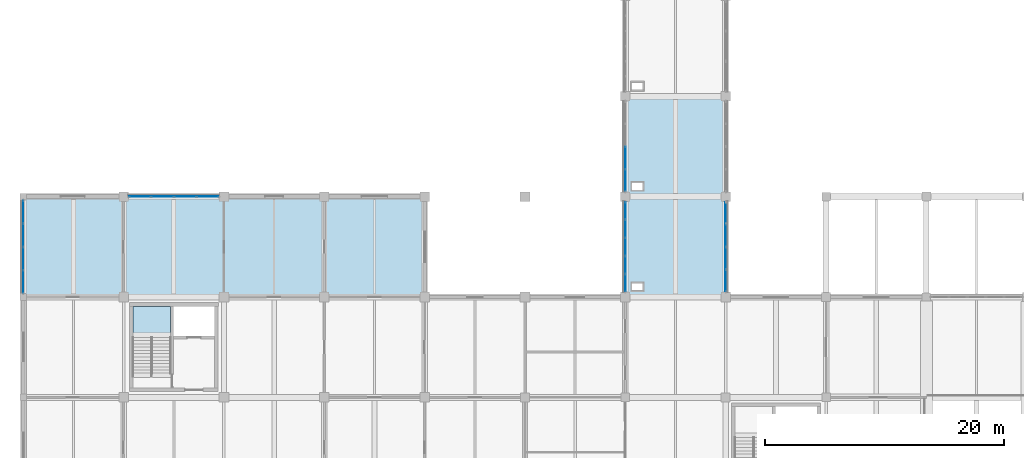
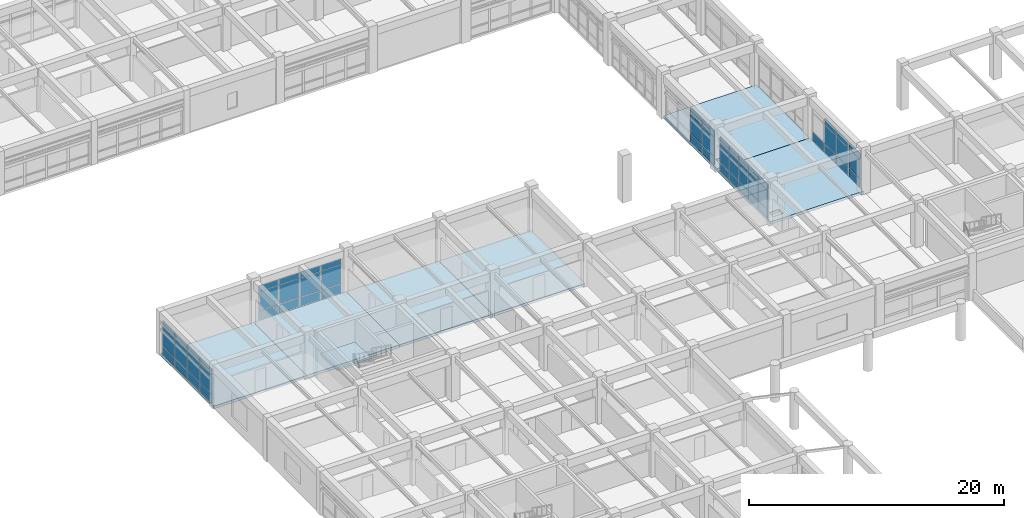
# One storey, part 64 of 99: 55 plates, 7 slabs, 6 elements without a shape of their own.
"""IFC4 building model written with IfcOpenShell, lengths in metres."""

from ifc_helpers import new_model, si_unit, direction, frame, origin, origin_2d, place, context, subcontext, project, spatial, polyline, rectangle, outline, extrude, material, layer, layer_set, type_object, element, aggregate, save


model = new_model("IFC4")

# Units and contexts
model_context = context("Model", 3, precision=1e-05, world=origin(), true_north=direction((0.0, 1.0)))
body_context = subcontext(model_context, "Body", "Model", "MODEL_VIEW")
ifc_project = project(units=[si_unit("LENGTHUNIT", "METRE"), si_unit("AREAUNIT", "SQUARE_METRE"), si_unit("VOLUMEUNIT", "CUBIC_METRE"), si_unit("PLANEANGLEUNIT", "RADIAN"), si_unit("MASSUNIT", "GRAM", prefix="KILO")], contexts=[model_context])

# Site, building, storey
site_placement = place(None, origin())
site = spatial("IfcSite", under=ifc_project, at=site_placement, CompositionType="ELEMENT")
building_placement = place(site_placement, origin())
building = spatial("IfcBuilding", under=site, at=building_placement, Name="Porcellanite Civic Hall", CompositionType="ELEMENT")
storey_placement = place(building_placement, frame((0.0, 0.0, 5.760009765625)))
storey = spatial("IfcBuildingStorey", under=building, at=storey_placement, Name="L01", CompositionType="ELEMENT", Elevation=5.760009765625)

# Curtain wall, plates
ifc_material_1 = material(Name="Anodised aluminium and solar laminated glass", Category="aluminium")
ifc_layer_1 = layer(ifc_material_1, 0.179931640625)
ifc_layer_set_1 = layer_set([ifc_layer_1], Name="Anodised aluminium and solar laminated glass")
curtain_wall_type_1 = type_object("IfcCurtainWallType", Name="CW-SYS05", PredefinedType="NOTDEFINED", material=ifc_layer_set_1)
curtain_wall_1_placement = place(storey_placement, origin())
curtain_wall_1 = element("IfcCurtainWall", 1, at=curtain_wall_1_placement, inside=storey, type_object=curtain_wall_type_1, Name="Curtain wall CW-063", PredefinedType="NOTDEFINED")
ifc_material_2 = material(Name="Cyclone laminated solar-control low-E glass", Category="glass")
ifc_layer_2 = layer(ifc_material_2, 0.028076171875)
ifc_layer_set_2 = layer_set([ifc_layer_2], Name="Cyclone laminated solar-control low-E glass")
plate_type_1 = type_object("IfcPlateType", Name="CWP-03", PredefinedType="CURTAIN_PANEL", material=ifc_layer_set_2)
plate_1_placement = place(storey_placement, frame((0.0, 68.474609375, 0.06005859375), z_axis=(0.0, 0.0, 1.0), x_axis=(0.0, 1.0, 0.0)))
plate_1 = element("IfcPlate", 2, at=plate_1_placement, type_object=plate_type_1, Name="CW-063 panel 1.1", PredefinedType="CURTAIN_PANEL", context=body_context, shape_type="SweptSolid", body=[
    extrude(rectangle(XDim=1.85693359375, YDim=0.028076171875, at=origin_2d()), origin(), (0.0, 0.0, 1.0), 0.81005859375),
])
plate_2_placement = place(storey_placement, frame((0.0, 68.474609375, 0.929931640625), z_axis=(0.0, 0.0, 1.0), x_axis=(0.0, 1.0, 0.0)))
plate_2 = element("IfcPlate", 3, at=plate_2_placement, type_object=plate_type_1, Name="CW-063 panel 1.2", PredefinedType="CURTAIN_PANEL", context=body_context, shape_type="SweptSolid", body=[
    extrude(rectangle(XDim=1.85693359375, YDim=0.028076171875, at=origin_2d()), origin(), (0.0, 0.0, 1.0), 1.7900390625),
])
plate_3_placement = place(storey_placement, frame((0.0, 68.474609375, 2.780029296875), z_axis=(0.0, 0.0, 1.0), x_axis=(0.0, 1.0, 0.0)))
plate_3 = element("IfcPlate", 4, at=plate_3_placement, type_object=plate_type_1, Name="CW-063 panel 1.3", PredefinedType="CURTAIN_PANEL", context=body_context, shape_type="SweptSolid", body=[
    extrude(rectangle(XDim=1.85693359375, YDim=0.028076171875, at=origin_2d()), origin(), (0.0, 0.0, 1.0), 0.56005859375),
])
plate_4_placement = place(storey_placement, frame((0.0, 70.4189453125, 0.06005859375), z_axis=(0.0, 0.0, 1.0), x_axis=(0.0, 1.0, 0.0)))
plate_4 = element("IfcPlate", 5, at=plate_4_placement, type_object=plate_type_1, Name="CW-063 panel 2.1", PredefinedType="CURTAIN_PANEL", context=body_context, shape_type="SweptSolid", body=[
    extrude(rectangle(XDim=1.89208984375, YDim=0.028076171875, at=origin_2d()), origin(), (0.0, 0.0, 1.0), 0.81005859375),
])
plate_5_placement = place(storey_placement, frame((0.0, 70.4189453125, 0.929931640625), z_axis=(0.0, 0.0, 1.0), x_axis=(0.0, 1.0, 0.0)))
plate_5 = element("IfcPlate", 6, at=plate_5_placement, type_object=plate_type_1, Name="CW-063 panel 2.2", PredefinedType="CURTAIN_PANEL", context=body_context, shape_type="SweptSolid", body=[
    extrude(rectangle(XDim=1.89208984375, YDim=0.028076171875, at=origin_2d()), origin(), (0.0, 0.0, 1.0), 1.7900390625),
])
plate_6_placement = place(storey_placement, frame((0.0, 70.4189453125, 2.780029296875), z_axis=(0.0, 0.0, 1.0), x_axis=(0.0, 1.0, 0.0)))
plate_6 = element("IfcPlate", 7, at=plate_6_placement, type_object=plate_type_1, Name="CW-063 panel 2.3", PredefinedType="CURTAIN_PANEL", context=body_context, shape_type="SweptSolid", body=[
    extrude(rectangle(XDim=1.89208984375, YDim=0.028076171875, at=origin_2d()), origin(), (0.0, 0.0, 1.0), 0.56005859375),
])
plate_7_placement = place(storey_placement, frame((0.0, 72.381103515625, 0.06005859375), z_axis=(0.0, 0.0, 1.0), x_axis=(0.0, 1.0, 0.0)))
plate_7 = element("IfcPlate", 8, at=plate_7_placement, type_object=plate_type_1, Name="CW-063 panel 3.1", PredefinedType="CURTAIN_PANEL", context=body_context, shape_type="SweptSolid", body=[
    extrude(rectangle(XDim=1.89208984375, YDim=0.028076171875, at=origin_2d()), origin(), (0.0, 0.0, 1.0), 0.81005859375),
])
plate_8_placement = place(storey_placement, frame((0.0, 72.381103515625, 0.929931640625), z_axis=(0.0, 0.0, 1.0), x_axis=(0.0, 1.0, 0.0)))
plate_8 = element("IfcPlate", 9, at=plate_8_placement, type_object=plate_type_1, Name="CW-063 panel 3.2", PredefinedType="CURTAIN_PANEL", context=body_context, shape_type="SweptSolid", body=[
    extrude(rectangle(XDim=1.89208984375, YDim=0.028076171875, at=origin_2d()), origin(), (0.0, 0.0, 1.0), 1.7900390625),
])
plate_9_placement = place(storey_placement, frame((0.0, 72.381103515625, 2.780029296875), z_axis=(0.0, 0.0, 1.0), x_axis=(0.0, 1.0, 0.0)))
plate_9 = element("IfcPlate", 10, at=plate_9_placement, type_object=plate_type_1, Name="CW-063 panel 3.3", PredefinedType="CURTAIN_PANEL", context=body_context, shape_type="SweptSolid", body=[
    extrude(rectangle(XDim=1.89208984375, YDim=0.028076171875, at=origin_2d()), origin(), (0.0, 0.0, 1.0), 0.56005859375),
])
plate_10_placement = place(storey_placement, frame((0.0, 74.325439453125, 0.06005859375), z_axis=(0.0, 0.0, 1.0), x_axis=(0.0, 1.0, 0.0)))
plate_10 = element("IfcPlate", 11, at=plate_10_placement, type_object=plate_type_1, Name="CW-063 panel 4.1", PredefinedType="CURTAIN_PANEL", context=body_context, shape_type="SweptSolid", body=[
    extrude(rectangle(XDim=1.85693359375, YDim=0.028076171875, at=origin_2d()), origin(), (0.0, 0.0, 1.0), 0.81005859375),
])
plate_11_placement = place(storey_placement, frame((0.0, 74.325439453125, 0.929931640625), z_axis=(0.0, 0.0, 1.0), x_axis=(0.0, 1.0, 0.0)))
plate_11 = element("IfcPlate", 12, at=plate_11_placement, type_object=plate_type_1, Name="CW-063 panel 4.2", PredefinedType="CURTAIN_PANEL", context=body_context, shape_type="SweptSolid", body=[
    extrude(rectangle(XDim=1.85693359375, YDim=0.028076171875, at=origin_2d()), origin(), (0.0, 0.0, 1.0), 1.7900390625),
])
plate_12_placement = place(storey_placement, frame((0.0, 74.325439453125, 2.780029296875), z_axis=(0.0, 0.0, 1.0), x_axis=(0.0, 1.0, 0.0)))
plate_12 = element("IfcPlate", 13, at=plate_12_placement, type_object=plate_type_1, Name="CW-063 panel 4.3", PredefinedType="CURTAIN_PANEL", context=body_context, shape_type="SweptSolid", body=[
    extrude(rectangle(XDim=1.85693359375, YDim=0.028076171875, at=origin_2d()), origin(), (0.0, 0.0, 1.0), 0.56005859375),
])
aggregate(curtain_wall_1, [plate_1, plate_2, plate_3, plate_4, plate_5, plate_6, plate_7, plate_8, plate_9, plate_10, plate_11, plate_12])

curtain_wall_2_placement = place(storey_placement, origin())
curtain_wall_2 = element("IfcCurtainWall", 14, at=curtain_wall_2_placement, inside=storey, type_object=curtain_wall_type_1, Name="Curtain wall CW-066", PredefinedType="NOTDEFINED")
plate_13_placement = place(storey_placement, frame((9.768310546875, 75.60009765625, 0.06005859375), z_axis=(0.0, 0.0, 1.0), x_axis=(1.0, 0.0, 0.0)))
plate_13 = element("IfcPlate", 15, at=plate_13_placement, type_object=plate_type_1, Name="CW-066 panel 1.1", PredefinedType="CURTAIN_PANEL", context=body_context, shape_type="SweptSolid", body=[
    extrude(rectangle(XDim=1.79443359375, YDim=0.028076171875, at=origin_2d()), origin(), (0.0, 0.0, 1.0), 0.81005859375),
])
plate_14_placement = place(storey_placement, frame((9.768310546875, 75.60009765625, 0.929931640625), z_axis=(0.0, 0.0, 1.0), x_axis=(1.0, 0.0, 0.0)))
plate_14 = element("IfcPlate", 16, at=plate_14_placement, type_object=plate_type_1, Name="CW-066 panel 1.2", PredefinedType="CURTAIN_PANEL", context=body_context, shape_type="SweptSolid", body=[
    extrude(rectangle(XDim=1.79443359375, YDim=0.028076171875, at=origin_2d()), origin(), (0.0, 0.0, 1.0), 1.7900390625),
])
plate_15_placement = place(storey_placement, frame((9.768310546875, 75.60009765625, 2.780029296875), z_axis=(0.0, 0.0, 1.0), x_axis=(1.0, 0.0, 0.0)))
plate_15 = element("IfcPlate", 17, at=plate_15_placement, type_object=plate_type_1, Name="CW-066 panel 1.3", PredefinedType="CURTAIN_PANEL", context=body_context, shape_type="SweptSolid", body=[
    extrude(rectangle(XDim=1.79443359375, YDim=0.028076171875, at=origin_2d()), origin(), (0.0, 0.0, 1.0), 0.56005859375),
])
plate_16_placement = place(storey_placement, frame((11.650146484375, 75.60009765625, 0.06005859375), z_axis=(0.0, 0.0, 1.0), x_axis=(1.0, 0.0, 0.0)))
plate_16 = element("IfcPlate", 18, at=plate_16_placement, type_object=plate_type_1, Name="CW-066 panel 2.1", PredefinedType="CURTAIN_PANEL", context=body_context, shape_type="SweptSolid", body=[
    extrude(rectangle(XDim=1.82958984375, YDim=0.028076171875, at=origin_2d()), origin(), (0.0, 0.0, 1.0), 0.81005859375),
])
plate_17_placement = place(storey_placement, frame((11.650146484375, 75.60009765625, 0.929931640625), z_axis=(0.0, 0.0, 1.0), x_axis=(1.0, 0.0, 0.0)))
plate_17 = element("IfcPlate", 19, at=plate_17_placement, type_object=plate_type_1, Name="CW-066 panel 2.2", PredefinedType="CURTAIN_PANEL", context=body_context, shape_type="SweptSolid", body=[
    extrude(rectangle(XDim=1.82958984375, YDim=0.028076171875, at=origin_2d()), origin(), (0.0, 0.0, 1.0), 1.7900390625),
])
plate_18_placement = place(storey_placement, frame((11.650146484375, 75.60009765625, 2.780029296875), z_axis=(0.0, 0.0, 1.0), x_axis=(1.0, 0.0, 0.0)))
plate_18 = element("IfcPlate", 20, at=plate_18_placement, type_object=plate_type_1, Name="CW-066 panel 2.3", PredefinedType="CURTAIN_PANEL", context=body_context, shape_type="SweptSolid", body=[
    extrude(rectangle(XDim=1.82958984375, YDim=0.028076171875, at=origin_2d()), origin(), (0.0, 0.0, 1.0), 0.56005859375),
])
plate_19_placement = place(storey_placement, frame((13.5498046875, 75.60009765625, 0.06005859375), z_axis=(0.0, 0.0, 1.0), x_axis=(1.0, 0.0, 0.0)))
plate_19 = element("IfcPlate", 21, at=plate_19_placement, type_object=plate_type_1, Name="CW-066 panel 3.1", PredefinedType="CURTAIN_PANEL", context=body_context, shape_type="SweptSolid", body=[
    extrude(rectangle(XDim=1.82958984375, YDim=0.028076171875, at=origin_2d()), origin(), (0.0, 0.0, 1.0), 0.81005859375),
])
plate_20_placement = place(storey_placement, frame((13.5498046875, 75.60009765625, 0.929931640625), z_axis=(0.0, 0.0, 1.0), x_axis=(1.0, 0.0, 0.0)))
plate_20 = element("IfcPlate", 22, at=plate_20_placement, type_object=plate_type_1, Name="CW-066 panel 3.2", PredefinedType="CURTAIN_PANEL", context=body_context, shape_type="SweptSolid", body=[
    extrude(rectangle(XDim=1.82958984375, YDim=0.028076171875, at=origin_2d()), origin(), (0.0, 0.0, 1.0), 1.7900390625),
])
plate_21_placement = place(storey_placement, frame((13.5498046875, 75.60009765625, 2.780029296875), z_axis=(0.0, 0.0, 1.0), x_axis=(1.0, 0.0, 0.0)))
plate_21 = element("IfcPlate", 23, at=plate_21_placement, type_object=plate_type_1, Name="CW-066 panel 3.3", PredefinedType="CURTAIN_PANEL", context=body_context, shape_type="SweptSolid", body=[
    extrude(rectangle(XDim=1.82958984375, YDim=0.028076171875, at=origin_2d()), origin(), (0.0, 0.0, 1.0), 0.56005859375),
])
plate_22_placement = place(storey_placement, frame((15.431640625, 75.60009765625, 0.06005859375), z_axis=(0.0, 0.0, 1.0), x_axis=(1.0, 0.0, 0.0)))
plate_22 = element("IfcPlate", 24, at=plate_22_placement, type_object=plate_type_1, Name="CW-066 panel 4.1", PredefinedType="CURTAIN_PANEL", context=body_context, shape_type="SweptSolid", body=[
    extrude(rectangle(XDim=1.79443359375, YDim=0.028076171875, at=origin_2d()), origin(), (0.0, 0.0, 1.0), 0.81005859375),
])
plate_23_placement = place(storey_placement, frame((15.431640625, 75.60009765625, 0.929931640625), z_axis=(0.0, 0.0, 1.0), x_axis=(1.0, 0.0, 0.0)))
plate_23 = element("IfcPlate", 25, at=plate_23_placement, type_object=plate_type_1, Name="CW-066 panel 4.2", PredefinedType="CURTAIN_PANEL", context=body_context, shape_type="SweptSolid", body=[
    extrude(rectangle(XDim=1.79443359375, YDim=0.028076171875, at=origin_2d()), origin(), (0.0, 0.0, 1.0), 1.7900390625),
])
plate_24_placement = place(storey_placement, frame((15.431640625, 75.60009765625, 2.780029296875), z_axis=(0.0, 0.0, 1.0), x_axis=(1.0, 0.0, 0.0)))
plate_24 = element("IfcPlate", 26, at=plate_24_placement, type_object=plate_type_1, Name="CW-066 panel 4.3", PredefinedType="CURTAIN_PANEL", context=body_context, shape_type="SweptSolid", body=[
    extrude(rectangle(XDim=1.79443359375, YDim=0.028076171875, at=origin_2d()), origin(), (0.0, 0.0, 1.0), 0.56005859375),
])
aggregate(curtain_wall_2, [plate_13, plate_14, plate_15, plate_16, plate_17, plate_18, plate_19, plate_20, plate_21, plate_22, plate_23, plate_24])

ifc_material_3 = material(Name="Anodised aluminium and solar laminated glass", Category="aluminium")
ifc_layer_3 = layer(ifc_material_3, 0.179931640625)
ifc_layer_set_3 = layer_set([ifc_layer_3], Name="Anodised aluminium and solar laminated glass")
curtain_wall_type_2 = type_object("IfcCurtainWallType", Name="CW-SYS01", PredefinedType="NOTDEFINED", material=ifc_layer_set_3)
curtain_wall_3_placement = place(storey_placement, origin())
curtain_wall_3 = element("IfcCurtainWall", 27, at=curtain_wall_3_placement, inside=storey, type_object=curtain_wall_type_2, Name="Curtain wall CW-077", PredefinedType="NOTDEFINED")
ifc_material_4 = material(Name="Insulated ochre aluminium spandrel panel", Category="aluminium")
ifc_layer_4 = layer(ifc_material_4, 0.0380859375)
ifc_layer_set_4 = layer_set([ifc_layer_4], Name="Insulated ochre aluminium spandrel panel")
plate_type_2 = type_object("IfcPlateType", Name="CWP-08", PredefinedType="CURTAIN_PANEL", material=ifc_layer_set_4)
plate_25_placement = place(storey_placement, frame((50.39990234375, 68.37841796875, 0.06005859375), z_axis=(0.0, 0.0, 1.0), x_axis=(0.0, 1.0, 0.0)))
plate_25 = element("IfcPlate", 28, at=plate_25_placement, type_object=plate_type_2, Name="CW-077 panel 1.1", PredefinedType="CURTAIN_PANEL", context=body_context, shape_type="SweptSolid", body=[
    extrude(rectangle(XDim=1.41455078125, YDim=0.0380859375, at=origin_2d()), origin(), (0.0, 0.0, 1.0), 0.81005859375),
])
plate_26_placement = place(storey_placement, frame((50.39990234375, 68.37841796875, 0.929931640625), z_axis=(0.0, 0.0, 1.0), x_axis=(0.0, 1.0, 0.0)))
plate_26 = element("IfcPlate", 29, at=plate_26_placement, type_object=plate_type_2, Name="CW-077 panel 1.2", PredefinedType="CURTAIN_PANEL", context=body_context, shape_type="SweptSolid", body=[
    extrude(rectangle(XDim=1.41455078125, YDim=0.0380859375, at=origin_2d()), origin(), (0.0, 0.0, 1.0), 1.7900390625),
])
plate_27_placement = place(storey_placement, frame((50.39990234375, 68.37841796875, 2.780029296875), z_axis=(0.0, 0.0, 1.0), x_axis=(0.0, 1.0, 0.0)))
plate_27 = element("IfcPlate", 30, at=plate_27_placement, type_object=plate_type_2, Name="CW-077 panel 1.3", PredefinedType="CURTAIN_PANEL", context=body_context, shape_type="SweptSolid", body=[
    extrude(rectangle(XDim=1.41455078125, YDim=0.0380859375, at=origin_2d()), origin(), (0.0, 0.0, 1.0), 0.56005859375),
])
plate_28_placement = place(storey_placement, frame((50.39990234375, 69.88037109375, 0.06005859375), z_axis=(0.0, 0.0, 1.0), x_axis=(0.0, 1.0, 0.0)))
plate_28 = element("IfcPlate", 31, at=plate_28_placement, type_object=plate_type_2, Name="CW-077 panel 2.1", PredefinedType="CURTAIN_PANEL", context=body_context, shape_type="SweptSolid", body=[
    extrude(rectangle(XDim=1.44970703125, YDim=0.0380859375, at=origin_2d()), origin(), (0.0, 0.0, 1.0), 0.81005859375),
])
plate_29_placement = place(storey_placement, frame((50.39990234375, 69.88037109375, 0.929931640625), z_axis=(0.0, 0.0, 1.0), x_axis=(0.0, 1.0, 0.0)))
plate_29 = element("IfcPlate", 32, at=plate_29_placement, type_object=plate_type_2, Name="CW-077 panel 2.2", PredefinedType="CURTAIN_PANEL", context=body_context, shape_type="SweptSolid", body=[
    extrude(rectangle(XDim=1.44970703125, YDim=0.0380859375, at=origin_2d()), origin(), (0.0, 0.0, 1.0), 1.7900390625),
])
plate_30_placement = place(storey_placement, frame((50.39990234375, 69.88037109375, 2.780029296875), z_axis=(0.0, 0.0, 1.0), x_axis=(0.0, 1.0, 0.0)))
plate_30 = element("IfcPlate", 33, at=plate_30_placement, type_object=plate_type_2, Name="CW-077 panel 2.3", PredefinedType="CURTAIN_PANEL", context=body_context, shape_type="SweptSolid", body=[
    extrude(rectangle(XDim=1.44970703125, YDim=0.0380859375, at=origin_2d()), origin(), (0.0, 0.0, 1.0), 0.56005859375),
])
plate_31_placement = place(storey_placement, frame((50.39990234375, 71.39990234375, 0.06005859375), z_axis=(0.0, 0.0, 1.0), x_axis=(0.0, 1.0, 0.0)))
plate_31 = element("IfcPlate", 34, at=plate_31_placement, type_object=plate_type_2, Name="CW-077 panel 3.1", PredefinedType="CURTAIN_PANEL", context=body_context, shape_type="SweptSolid", body=[
    extrude(rectangle(XDim=1.44970703125, YDim=0.0380859375, at=origin_2d()), origin(), (0.0, 0.0, 1.0), 0.81005859375),
])
plate_32_placement = place(storey_placement, frame((50.39990234375, 71.39990234375, 0.929931640625), z_axis=(0.0, 0.0, 1.0), x_axis=(0.0, 1.0, 0.0)))
plate_32 = element("IfcPlate", 35, at=plate_32_placement, type_object=plate_type_2, Name="CW-077 panel 3.2", PredefinedType="CURTAIN_PANEL", context=body_context, shape_type="SweptSolid", body=[
    extrude(rectangle(XDim=1.44970703125, YDim=0.0380859375, at=origin_2d()), origin(), (0.0, 0.0, 1.0), 1.7900390625),
])
plate_33_placement = place(storey_placement, frame((50.39990234375, 71.39990234375, 2.780029296875), z_axis=(0.0, 0.0, 1.0), x_axis=(0.0, 1.0, 0.0)))
plate_33 = element("IfcPlate", 36, at=plate_33_placement, type_object=plate_type_2, Name="CW-077 panel 3.3", PredefinedType="CURTAIN_PANEL", context=body_context, shape_type="SweptSolid", body=[
    extrude(rectangle(XDim=1.44970703125, YDim=0.0380859375, at=origin_2d()), origin(), (0.0, 0.0, 1.0), 0.56005859375),
])
plate_34_placement = place(storey_placement, frame((50.39990234375, 72.919677734375, 0.06005859375), z_axis=(0.0, 0.0, 1.0), x_axis=(0.0, 1.0, 0.0)))
plate_34 = element("IfcPlate", 37, at=plate_34_placement, type_object=plate_type_2, Name="CW-077 panel 4.1", PredefinedType="CURTAIN_PANEL", context=body_context, shape_type="SweptSolid", body=[
    extrude(rectangle(XDim=1.44970703125, YDim=0.0380859375, at=origin_2d()), origin(), (0.0, 0.0, 1.0), 0.81005859375),
])
plate_35_placement = place(storey_placement, frame((50.39990234375, 72.919677734375, 0.929931640625), z_axis=(0.0, 0.0, 1.0), x_axis=(0.0, 1.0, 0.0)))
plate_35 = element("IfcPlate", 38, at=plate_35_placement, type_object=plate_type_2, Name="CW-077 panel 4.2", PredefinedType="CURTAIN_PANEL", context=body_context, shape_type="SweptSolid", body=[
    extrude(rectangle(XDim=1.44970703125, YDim=0.0380859375, at=origin_2d()), origin(), (0.0, 0.0, 1.0), 1.7900390625),
])
plate_36_placement = place(storey_placement, frame((50.39990234375, 72.919677734375, 2.780029296875), z_axis=(0.0, 0.0, 1.0), x_axis=(0.0, 1.0, 0.0)))
plate_36 = element("IfcPlate", 39, at=plate_36_placement, type_object=plate_type_2, Name="CW-077 panel 4.3", PredefinedType="CURTAIN_PANEL", context=body_context, shape_type="SweptSolid", body=[
    extrude(rectangle(XDim=1.44970703125, YDim=0.0380859375, at=origin_2d()), origin(), (0.0, 0.0, 1.0), 0.56005859375),
])
plate_37_placement = place(storey_placement, frame((50.39990234375, 74.421630859375, 0.06005859375), z_axis=(0.0, 0.0, 1.0), x_axis=(0.0, 1.0, 0.0)))
plate_37 = element("IfcPlate", 40, at=plate_37_placement, type_object=plate_type_2, Name="CW-077 panel 5.1", PredefinedType="CURTAIN_PANEL", context=body_context, shape_type="SweptSolid", body=[
    extrude(rectangle(XDim=1.41455078125, YDim=0.0380859375, at=origin_2d()), origin(), (0.0, 0.0, 1.0), 0.81005859375),
])
plate_38_placement = place(storey_placement, frame((50.39990234375, 74.421630859375, 0.929931640625), z_axis=(0.0, 0.0, 1.0), x_axis=(0.0, 1.0, 0.0)))
plate_38 = element("IfcPlate", 41, at=plate_38_placement, type_object=plate_type_2, Name="CW-077 panel 5.2", PredefinedType="CURTAIN_PANEL", context=body_context, shape_type="SweptSolid", body=[
    extrude(rectangle(XDim=1.41455078125, YDim=0.0380859375, at=origin_2d()), origin(), (0.0, 0.0, 1.0), 1.7900390625),
])
plate_39_placement = place(storey_placement, frame((50.39990234375, 74.421630859375, 2.780029296875), z_axis=(0.0, 0.0, 1.0), x_axis=(0.0, 1.0, 0.0)))
plate_39 = element("IfcPlate", 42, at=plate_39_placement, type_object=plate_type_2, Name="CW-077 panel 5.3", PredefinedType="CURTAIN_PANEL", context=body_context, shape_type="SweptSolid", body=[
    extrude(rectangle(XDim=1.41455078125, YDim=0.0380859375, at=origin_2d()), origin(), (0.0, 0.0, 1.0), 0.56005859375),
])
aggregate(curtain_wall_3, [plate_25, plate_26, plate_27, plate_28, plate_29, plate_30, plate_31, plate_32, plate_33, plate_34, plate_35, plate_36, plate_37, plate_38, plate_39])

ifc_material_5 = material(Name="Anodised aluminium and solar laminated glass", Category="aluminium")
ifc_layer_5 = layer(ifc_material_5, 0.179931640625)
ifc_layer_set_5 = layer_set([ifc_layer_5], Name="Anodised aluminium and solar laminated glass")
curtain_wall_type_3 = type_object("IfcCurtainWallType", Name="CW-SYS03", PredefinedType="NOTDEFINED", material=ifc_layer_set_5)
curtain_wall_4_placement = place(storey_placement, origin())
curtain_wall_4 = element("IfcCurtainWall", 43, at=curtain_wall_4_placement, inside=storey, type_object=curtain_wall_type_3, Name="Curtain wall CW-078", PredefinedType="NOTDEFINED")
ifc_material_6 = material(Name="Insulated ochre aluminium spandrel panel", Category="aluminium")
ifc_layer_6 = layer(ifc_material_6, 0.0419921875)
ifc_layer_set_6 = layer_set([ifc_layer_6], Name="Insulated ochre aluminium spandrel panel")
plate_type_3 = type_object("IfcPlateType", Name="CWP-09", PredefinedType="CURTAIN_PANEL", material=ifc_layer_set_6)
plate_40_placement = place(storey_placement, frame((58.800048828125, 74.229248046875, 0.054931640625), z_axis=(0.0, 0.0, 1.0), x_axis=(0.0, -1.0, 0.0)))
plate_40 = element("IfcPlate", 44, at=plate_40_placement, type_object=plate_type_3, Name="CW-078 panel 1.1", PredefinedType="CURTAIN_PANEL", context=body_context, shape_type="SweptSolid", body=[
    extrude(rectangle(XDim=1.779541015625, YDim=0.0419921875, at=origin_2d()), origin(), (0.0, 0.0, 1.0), 0.8173828125),
])
plate_41_placement = place(storey_placement, frame((58.800048828125, 72.349853515625, 0.054931640625), z_axis=(0.0, 0.0, 1.0), x_axis=(0.0, -1.0, 0.0)))
plate_41 = element("IfcPlate", 45, at=plate_41_placement, type_object=plate_type_3, Name="CW-078 panel 2.1", PredefinedType="CURTAIN_PANEL", context=body_context, shape_type="SweptSolid", body=[
    extrude(rectangle(XDim=1.819580078125, YDim=0.0419921875, at=origin_2d()), origin(), (0.0, 0.0, 1.0), 0.8173828125),
])
plate_42_placement = place(storey_placement, frame((58.800048828125, 72.349853515625, 0.927490234375), z_axis=(0.0, 0.0, 1.0), x_axis=(0.0, -1.0, 0.0)))
plate_42 = element("IfcPlate", 46, at=plate_42_placement, type_object=plate_type_3, Name="CW-078 panel 2.2", PredefinedType="CURTAIN_PANEL", context=body_context, shape_type="SweptSolid", body=[
    extrude(rectangle(XDim=1.819580078125, YDim=0.0419921875, at=origin_2d()), origin(), (0.0, 0.0, 1.0), 1.794921875),
])
plate_43_placement = place(storey_placement, frame((58.800048828125, 72.349853515625, 2.777587890625), z_axis=(0.0, 0.0, 1.0), x_axis=(0.0, -1.0, 0.0)))
plate_43 = element("IfcPlate", 47, at=plate_43_placement, type_object=plate_type_3, Name="CW-078 panel 2.3", PredefinedType="CURTAIN_PANEL", context=body_context, shape_type="SweptSolid", body=[
    extrude(rectangle(XDim=1.819580078125, YDim=0.0419921875, at=origin_2d()), origin(), (0.0, 0.0, 1.0), 0.5673828125),
])
plate_44_placement = place(storey_placement, frame((58.800048828125, 70.4501953125, 0.054931640625), z_axis=(0.0, 0.0, 1.0), x_axis=(0.0, -1.0, 0.0)))
plate_44 = element("IfcPlate", 48, at=plate_44_placement, type_object=plate_type_3, Name="CW-078 panel 3.1", PredefinedType="CURTAIN_PANEL", context=body_context, shape_type="SweptSolid", body=[
    extrude(rectangle(XDim=1.819580078125, YDim=0.0419921875, at=origin_2d()), origin(), (0.0, 0.0, 1.0), 0.8173828125),
])
plate_45_placement = place(storey_placement, frame((58.800048828125, 70.4501953125, 0.927490234375), z_axis=(0.0, 0.0, 1.0), x_axis=(0.0, -1.0, 0.0)))
plate_45 = element("IfcPlate", 49, at=plate_45_placement, type_object=plate_type_3, Name="CW-078 panel 3.2", PredefinedType="CURTAIN_PANEL", context=body_context, shape_type="SweptSolid", body=[
    extrude(rectangle(XDim=1.819580078125, YDim=0.0419921875, at=origin_2d()), origin(), (0.0, 0.0, 1.0), 1.794921875),
])
plate_46_placement = place(storey_placement, frame((58.800048828125, 70.4501953125, 2.777587890625), z_axis=(0.0, 0.0, 1.0), x_axis=(0.0, -1.0, 0.0)))
plate_46 = element("IfcPlate", 50, at=plate_46_placement, type_object=plate_type_3, Name="CW-078 panel 3.3", PredefinedType="CURTAIN_PANEL", context=body_context, shape_type="SweptSolid", body=[
    extrude(rectangle(XDim=1.819580078125, YDim=0.0419921875, at=origin_2d()), origin(), (0.0, 0.0, 1.0), 0.5673828125),
])
plate_47_placement = place(storey_placement, frame((58.800048828125, 68.57080078125, 0.054931640625), z_axis=(0.0, 0.0, 1.0), x_axis=(0.0, -1.0, 0.0)))
plate_47 = element("IfcPlate", 51, at=plate_47_placement, type_object=plate_type_3, Name="CW-078 panel 4.1", PredefinedType="CURTAIN_PANEL", context=body_context, shape_type="SweptSolid", body=[
    extrude(rectangle(XDim=1.779541015625, YDim=0.0419921875, at=origin_2d()), origin(), (0.0, 0.0, 1.0), 0.8173828125),
])
plate_48_placement = place(storey_placement, frame((58.800048828125, 68.57080078125, 0.927490234375), z_axis=(0.0, 0.0, 1.0), x_axis=(0.0, -1.0, 0.0)))
plate_48 = element("IfcPlate", 52, at=plate_48_placement, type_object=plate_type_3, Name="CW-078 panel 4.2", PredefinedType="CURTAIN_PANEL", context=body_context, shape_type="SweptSolid", body=[
    extrude(rectangle(XDim=1.779541015625, YDim=0.0419921875, at=origin_2d()), origin(), (0.0, 0.0, 1.0), 1.794921875),
])
plate_49_placement = place(storey_placement, frame((58.800048828125, 68.57080078125, 2.777587890625), z_axis=(0.0, 0.0, 1.0), x_axis=(0.0, -1.0, 0.0)))
plate_49 = element("IfcPlate", 53, at=plate_49_placement, type_object=plate_type_3, Name="CW-078 panel 4.3", PredefinedType="CURTAIN_PANEL", context=body_context, shape_type="SweptSolid", body=[
    extrude(rectangle(XDim=1.779541015625, YDim=0.0419921875, at=origin_2d()), origin(), (0.0, 0.0, 1.0), 0.5673828125),
])
aggregate(curtain_wall_4, [plate_40, plate_41, plate_42, plate_43, plate_44, plate_45, plate_46, plate_47, plate_48, plate_49])

ifc_material_7 = material(Name="Anodised aluminium and solar laminated glass", Category="aluminium")
ifc_layer_7 = layer(ifc_material_7, 0.179931640625)
ifc_layer_set_7 = layer_set([ifc_layer_7], Name="Anodised aluminium and solar laminated glass")
curtain_wall_type_4 = type_object("IfcCurtainWallType", Name="CW-SYS04", PredefinedType="NOTDEFINED", material=ifc_layer_set_7)
curtain_wall_5_placement = place(storey_placement, origin())
curtain_wall_5 = element("IfcCurtainWall", 54, at=curtain_wall_5_placement, inside=storey, type_object=curtain_wall_type_4, Name="Curtain wall CW-079", PredefinedType="NOTDEFINED")
ifc_material_8 = material(Name="Insulated ochre aluminium spandrel panel", Category="aluminium")
ifc_layer_8 = layer(ifc_material_8, 0.0458984375)
ifc_layer_set_8 = layer_set([ifc_layer_8], Name="Insulated ochre aluminium spandrel panel")
plate_type_4 = type_object("IfcPlateType", Name="CWP-10", PredefinedType="CURTAIN_PANEL", material=ifc_layer_set_8)
plate_50_placement = place(storey_placement, frame((50.39990234375, 76.969482421875, 0.054931640625), z_axis=(0.0, 0.0, 1.0), x_axis=(0.0, 1.0, 0.0)))
plate_50 = element("IfcPlate", 55, at=plate_50_placement, type_object=plate_type_4, Name="CW-079 panel 1.1", PredefinedType="CURTAIN_PANEL", context=body_context, shape_type="SweptSolid", body=[
    extrude(rectangle(XDim=1.787109375, YDim=0.0458984375, at=origin_2d()), origin(), (0.0, 0.0, 1.0), 0.8173828125),
])
plate_51_placement = place(storey_placement, frame((50.39990234375, 76.969482421875, 0.927490234375), z_axis=(0.0, 0.0, 1.0), x_axis=(0.0, 1.0, 0.0)))
plate_51 = element("IfcPlate", 56, at=plate_51_placement, type_object=plate_type_4, Name="CW-079 panel 1.2", PredefinedType="CURTAIN_PANEL", context=body_context, shape_type="SweptSolid", body=[
    extrude(rectangle(XDim=1.787109375, YDim=0.0458984375, at=origin_2d()), origin(), (0.0, 0.0, 1.0), 1.794921875),
])
plate_52_placement = place(storey_placement, frame((50.39990234375, 76.969482421875, 2.777587890625), z_axis=(0.0, 0.0, 1.0), x_axis=(0.0, 1.0, 0.0)))
plate_52 = element("IfcPlate", 57, at=plate_52_placement, type_object=plate_type_4, Name="CW-079 panel 1.3", PredefinedType="CURTAIN_PANEL", context=body_context, shape_type="SweptSolid", body=[
    extrude(rectangle(XDim=1.787109375, YDim=0.0458984375, at=origin_2d()), origin(), (0.0, 0.0, 1.0), 0.5673828125),
])
plate_53_placement = place(storey_placement, frame((50.39990234375, 78.850341796875, 0.054931640625), z_axis=(0.0, 0.0, 1.0), x_axis=(0.0, 1.0, 0.0)))
plate_53 = element("IfcPlate", 58, at=plate_53_placement, type_object=plate_type_4, Name="CW-079 panel 2.1", PredefinedType="CURTAIN_PANEL", context=body_context, shape_type="SweptSolid", body=[
    extrude(rectangle(XDim=1.824462890625, YDim=0.0458984375, at=origin_2d()), origin(), (0.0, 0.0, 1.0), 0.8173828125),
])
plate_54_placement = place(storey_placement, frame((50.39990234375, 78.850341796875, 0.927490234375), z_axis=(0.0, 0.0, 1.0), x_axis=(0.0, 1.0, 0.0)))
plate_54 = element("IfcPlate", 59, at=plate_54_placement, type_object=plate_type_4, Name="CW-079 panel 2.2", PredefinedType="CURTAIN_PANEL", context=body_context, shape_type="SweptSolid", body=[
    extrude(rectangle(XDim=1.824462890625, YDim=0.0458984375, at=origin_2d()), origin(), (0.0, 0.0, 1.0), 1.794921875),
])
plate_55_placement = place(storey_placement, frame((50.39990234375, 78.850341796875, 2.777587890625), z_axis=(0.0, 0.0, 1.0), x_axis=(0.0, 1.0, 0.0)))
plate_55 = element("IfcPlate", 60, at=plate_55_placement, type_object=plate_type_4, Name="CW-079 panel 2.3", PredefinedType="CURTAIN_PANEL", context=body_context, shape_type="SweptSolid", body=[
    extrude(rectangle(XDim=1.824462890625, YDim=0.0458984375, at=origin_2d()), origin(), (0.0, 0.0, 1.0), 0.5673828125),
])
aggregate(curtain_wall_5, [plate_50, plate_51, plate_52, plate_53, plate_54, plate_55])

# Stair, slab
ifc_material_9 = material(Name="Concrete N40 (40 MPa)", Category="concrete")
stair_type = type_object("IfcStairType", Name="STR-HT25", PredefinedType="HALF_TURN_STAIR", material=ifc_material_9)
stair_placement = place(storey_placement, origin())
stair = element("IfcStair", 61, at=stair_placement, inside=storey, type_object=stair_type, Name="Fire stair ST-02 L01", PredefinedType="HALF_TURN_STAIR")
ifc_material_10 = material(Name="Concrete N40 (40 MPa)", Category="concrete")
ifc_layer_9 = layer(ifc_material_10, 0.179931640625)
ifc_layer_set_9 = layer_set([ifc_layer_9], Name="Concrete N40 (40 MPa)")
slab_type_1 = type_object("IfcSlabType", Name="LND-18", PredefinedType="LANDING", material=ifc_layer_set_9)
slab_1_placement = place(storey_placement, frame((0.0, 0.0, 2.159912109375)))
slab_1 = element("IfcSlab", 62, at=slab_1_placement, type_object=slab_type_1, Name="ST-02 landing 1", PredefinedType="LANDING", context=body_context, shape_type="SweptSolid", body=[
    extrude(outline(polyline([(9.180419921875, 63.824951171875), (12.319580078125, 63.824951171875), (12.319580078125, 66.41943359375), (9.180419921875, 66.41943359375), (9.180419921875, 63.824951171875)])), origin(), (0.0, 0.0, 1.0), 0.18017578125),
])
aggregate(stair, [slab_1])

# Slabs
ifc_material_11 = material(Name="Concrete N40 (40 MPa)", Category="concrete")
ifc_layer_10 = layer(ifc_material_11, 0.25)
ifc_layer_set_10 = layer_set([ifc_layer_10], Name="Concrete N40 (40 MPa)")
slab_type_2 = type_object("IfcSlabType", Name="SL-FL250", PredefinedType="FLOOR", material=ifc_layer_set_10)
slab_2_placement = place(storey_placement, frame((0.0, 0.0, -0.25)))
element("IfcSlab", 63, at=slab_2_placement, inside=storey, type_object=slab_type_2, Name="Slab L01 bay 1-9", PredefinedType="FLOOR", context=body_context, shape_type="SweptSolid", body=[
    extrude(outline(polyline([(0.0, 67.199951171875), (8.39990234375, 67.199951171875), (8.39990234375, 75.60009765625), (0.0, 75.60009765625), (0.0, 67.199951171875)])), origin(), (0.0, 0.0, 1.0), 0.25),
])
slab_3_placement = place(storey_placement, frame((0.0, 0.0, -0.25)))
element("IfcSlab", 64, at=slab_3_placement, inside=storey, type_object=slab_type_2, Name="Slab L01 bay 3-9", PredefinedType="FLOOR", context=body_context, shape_type="SweptSolid", body=[
    extrude(outline(polyline([(16.800048828125, 67.199951171875), (25.199951171875, 67.199951171875), (25.199951171875, 75.60009765625), (16.800048828125, 75.60009765625), (16.800048828125, 67.199951171875)])), origin(), (0.0, 0.0, 1.0), 0.25),
])
slab_4_placement = place(storey_placement, frame((0.0, 0.0, -0.25)))
element("IfcSlab", 65, at=slab_4_placement, inside=storey, type_object=slab_type_2, Name="Slab L01 bay 4-9", PredefinedType="FLOOR", context=body_context, shape_type="SweptSolid", body=[
    extrude(outline(polyline([(25.199951171875, 67.199951171875), (33.60009765625, 67.199951171875), (33.60009765625, 75.60009765625), (25.199951171875, 75.60009765625), (25.199951171875, 67.199951171875)])), origin(), (0.0, 0.0, 1.0), 0.25),
])
slab_5_placement = place(storey_placement, frame((0.0, 0.0, -0.25)))
element("IfcSlab", 66, at=slab_5_placement, inside=storey, type_object=slab_type_2, Name="Slab L01 bay 7-9", PredefinedType="FLOOR", context=body_context, shape_type="SweptSolid", body=[
    extrude(outline(polyline([(50.39990234375, 67.199951171875), (58.800048828125, 67.199951171875), (58.800048828125, 75.60009765625), (50.39990234375, 75.60009765625), (50.39990234375, 67.199951171875)]), holes=[polyline([(50.949951171875, 67.75), (51.85009765625, 67.75), (51.85009765625, 68.35009765625), (50.949951171875, 68.35009765625), (50.949951171875, 67.75)])]), origin(), (0.0, 0.0, 1.0), 0.25),
])
ifc_material_12 = material(Name="Concrete N40 (40 MPa)", Category="concrete")
ifc_layer_11 = layer(ifc_material_12, 0.260009765625)
ifc_layer_set_11 = layer_set([ifc_layer_11], Name="Concrete N40 (40 MPa)")
slab_type_3 = type_object("IfcSlabType", Name="SL-FL260", PredefinedType="FLOOR", material=ifc_layer_set_11)
slab_6_placement = place(storey_placement, frame((0.0, 0.0, -0.260009765625)))
element("IfcSlab", 67, at=slab_6_placement, inside=storey, type_object=slab_type_3, Name="Slab L01 bay 2-9", PredefinedType="FLOOR", context=body_context, shape_type="SweptSolid", body=[
    extrude(outline(polyline([(8.39990234375, 67.199951171875), (16.800048828125, 67.199951171875), (16.800048828125, 75.60009765625), (8.39990234375, 75.60009765625), (8.39990234375, 67.199951171875)])), origin(), (0.0, 0.0, 1.0), 0.260009765625),
])
slab_7_placement = place(storey_placement, frame((0.0, 0.0, -0.260009765625)))
element("IfcSlab", 68, at=slab_7_placement, inside=storey, type_object=slab_type_3, Name="Slab L01 bay 7-10", PredefinedType="FLOOR", context=body_context, shape_type="SweptSolid", body=[
    extrude(outline(polyline([(50.39990234375, 75.60009765625), (58.800048828125, 75.60009765625), (58.800048828125, 84.0), (50.39990234375, 84.0), (50.39990234375, 75.60009765625)]), holes=[polyline([(50.949951171875, 76.14990234375), (51.85009765625, 76.14990234375), (51.85009765625, 76.75), (50.949951171875, 76.75), (50.949951171875, 76.14990234375)])]), origin(), (0.0, 0.0, 1.0), 0.260009765625),
])

save(model, "model.ifc")
